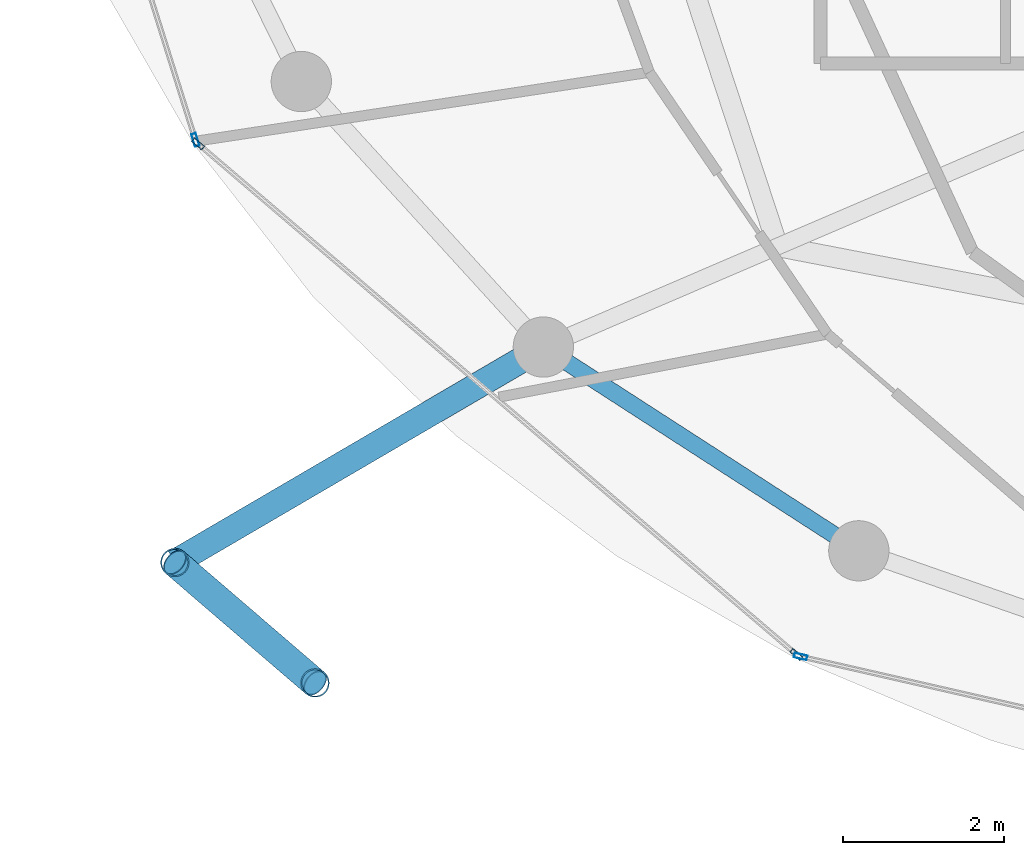
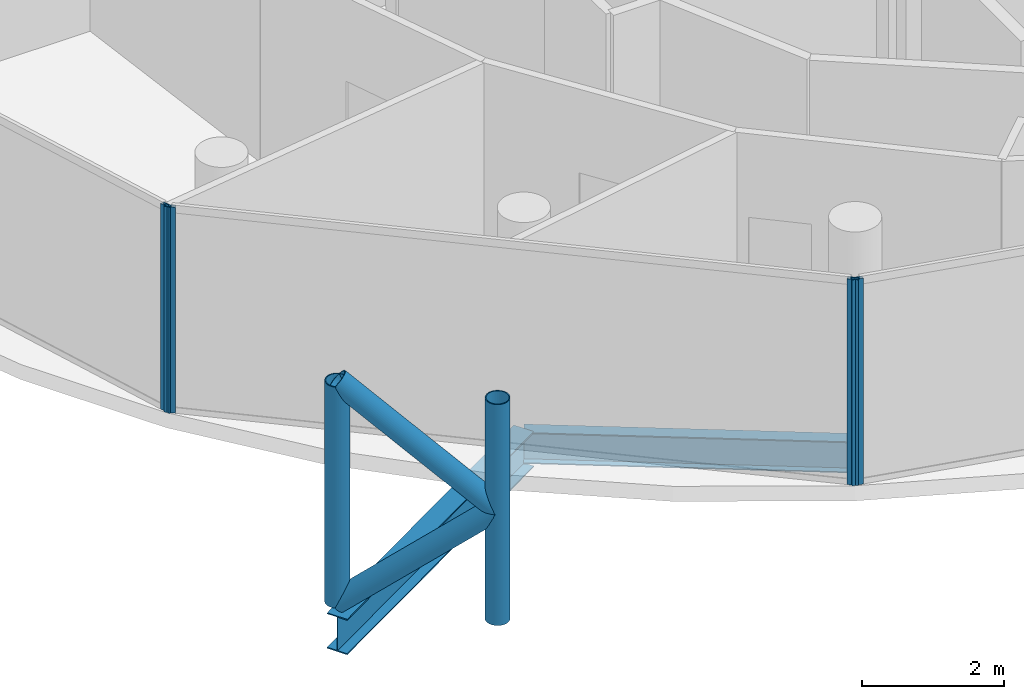
# One storey, part 2 of 24: 8 members, 2 beams, 3 elements without a shape of their own.
"""IFC4 building model written with IfcOpenShell, lengths in metres."""

from ifc_helpers import new_model, si_unit, direction, frame, origin, origin_2d, place, context, subcontext, project, spatial, hollow_rectangle, hollow_circle, i_section, extrude, material, layer, layer_set, material_profile, profile_set, type_object, element, aggregate, save


model = new_model("IFC4")

# Units and contexts
model_context = context("Model", 3, precision=1e-05, world=origin(), true_north=direction((0.0, 1.0)))
body_context = subcontext(model_context, "Body", "Model", "MODEL_VIEW")
ifc_project = project(units=[si_unit("LENGTHUNIT", "METRE"), si_unit("AREAUNIT", "SQUARE_METRE"), si_unit("VOLUMEUNIT", "CUBIC_METRE"), si_unit("PLANEANGLEUNIT", "RADIAN"), si_unit("MASSUNIT", "GRAM", prefix="KILO")], contexts=[model_context])

# Site, building, storey
site_placement = place(None, origin())
site = spatial("IfcSite", under=ifc_project, at=site_placement, CompositionType="ELEMENT")
building_placement = place(site_placement, origin())
building = spatial("IfcBuilding", under=site, at=building_placement, Name="Nuhasar Tower", CompositionType="ELEMENT")
storey_placement = place(building_placement, frame((0.0, 0.0, 289.800048828125)))
storey = spatial("IfcBuildingStorey", under=building, at=storey_placement, Name="L72", CompositionType="ELEMENT", Elevation=289.800048828125)

# Beams
ifc_material_1 = material(Name="Steel S355", Category="steel")
ifc_material_profile_1 = material_profile(ifc_material_1, i_section(OverallWidth=0.2099609375, OverallDepth=0.537109375, WebThickness=0.010986328125, FlangeThickness=0.017333984375, at=origin_2d()), Name="W21X68")
ifc_profile_set_1 = profile_set([ifc_material_profile_1], Name="Steel S355")
beam_type_1 = type_object("IfcBeamType", Name="BM-RING-W21X68", PredefinedType="SPANDREL", material=ifc_profile_set_1)
beam_1_placement = place(storey_placement, frame((25.60009765625, 15.52197265625, -0.528076171875), z_axis=(0.840025485934, -0.542546940809, 0.0), x_axis=(0.542546940809, 0.840025485934, 0.0)))
element("IfcBeam", 1, at=beam_1_placement, inside=storey, type_object=beam_type_1, Name="L72 Perimeter Ring Spandrel 16", PredefinedType="SPANDREL", context=body_context, shape_type="SweptSolid", body=[
    extrude(i_section(OverallWidth=0.2099609375, OverallDepth=0.537109375, WebThickness=0.010986328125, FlangeThickness=0.017333984375, at=origin_2d()), origin(), (0.0, 0.0, 1.0), 4.67236328125),
])
ifc_material_profile_2 = material_profile(ifc_material_1, i_section(OverallWidth=0.323974609375, OverallDepth=0.611083984375, WebThickness=0.0126953125, FlangeThickness=0.01904296875, at=origin_2d()), Name="W24X104")
ifc_profile_set_2 = profile_set([ifc_material_profile_2], Name="Steel S355")
beam_type_2 = type_object("IfcBeamType", Name="BM-TIE-W24X104", PredefinedType="BEAM", material=ifc_profile_set_2)
beam_2_placement = place(storey_placement, frame((25.60009765625, 15.52197265625, -0.56494140625), z_axis=(-0.863291554686, -0.504705549413, 0.0), x_axis=(0.504705549413, -0.863291554686, 0.0)))
element("IfcBeam", 2, at=beam_2_placement, inside=storey, type_object=beam_type_2, Name="L72 Exoskeleton Node Tie Beam 08", PredefinedType="BEAM", context=body_context, shape_type="SweptSolid", body=[
    extrude(i_section(OverallWidth=0.323974609375, OverallDepth=0.611083984375, WebThickness=0.0126953125, FlangeThickness=0.01904296875, at=origin_2d()), origin(), (0.0, 0.0, 1.0), 5.309814453125),
])

# Curtain wall, member
ifc_material_2 = material(Name="Aluminium 6063-T6", Category="aluminium")
ifc_layer = layer(ifc_material_2, 0.18994140625)
ifc_layer_set = layer_set([ifc_layer], Name="Aluminium 6063-T6")
curtain_wall_type = type_object("IfcCurtainWallType", Name="CW-Z4-PEN", PredefinedType="NOTDEFINED", material=ifc_layer_set)
curtain_wall_1_placement = place(storey_placement, origin())
curtain_wall_1 = element("IfcCurtainWall", 3, at=curtain_wall_1_placement, inside=storey, type_object=curtain_wall_type, Name="L72 Unitised Curtain Wall 07", PredefinedType="NOTDEFINED")
ifc_material_profile_3 = material_profile(ifc_material_2, hollow_rectangle(XDim=0.06005859375, YDim=0.1650390625, WallThickness=0.0048828125, at=origin_2d()), Name="CWM-5")
ifc_profile_set_3 = profile_set([ifc_material_profile_3], Name="Aluminium 6063-T6")
member_type_1 = type_object("IfcMemberType", Name="CW-MUL-S5", PredefinedType="MULLION", material=ifc_profile_set_3)
member_1_placement = place(storey_placement, frame((21.27197265625, 18.0986328125, 0.0), z_axis=(0.0, 0.0, 1.0), x_axis=(0.954078526601, 0.299556614146, 0.0)))
member_1 = element("IfcMember", 4, at=member_1_placement, type_object=member_type_1, Name="CW-Z4 mullion 2", PredefinedType="MULLION", context=body_context, shape_type="SweptSolid", body=[
    extrude(hollow_rectangle(XDim=0.06005859375, YDim=0.1650390625, WallThickness=0.0048828125, at=origin_2d()), origin(), (0.0, 0.0, 1.0), 3.5400390625),
])
aggregate(curtain_wall_1, [member_1])

# Curtain wall, members
curtain_wall_2_placement = place(storey_placement, origin())
curtain_wall_2 = element("IfcCurtainWall", 5, at=curtain_wall_2_placement, inside=storey, type_object=curtain_wall_type, Name="L72 Unitised Curtain Wall 08", PredefinedType="NOTDEFINED")
member_2_placement = place(storey_placement, frame((21.3037109375, 18.050537109375, 0.0), z_axis=(0.0, 0.0, 1.0), x_axis=(0.649141996205, 0.760667252327, 0.0)))
member_2 = element("IfcMember", 6, at=member_2_placement, type_object=member_type_1, Name="CW-Z4 mullion 1", PredefinedType="MULLION", context=body_context, shape_type="SweptSolid", body=[
    extrude(hollow_rectangle(XDim=0.06005859375, YDim=0.1650390625, WallThickness=0.0048828125, at=origin_2d()), origin(), (0.0, 0.0, 1.0), 3.5400390625),
])
member_3_placement = place(storey_placement, frame((28.7470703125, 11.698486328125, 0.0), z_axis=(0.0, 0.0, 1.0), x_axis=(0.649141996205, 0.760667252327, 0.0)))
member_3 = element("IfcMember", 7, at=member_3_placement, type_object=member_type_1, Name="CW-Z4 mullion 2", PredefinedType="MULLION", context=body_context, shape_type="SweptSolid", body=[
    extrude(hollow_rectangle(XDim=0.06005859375, YDim=0.1650390625, WallThickness=0.0048828125, at=origin_2d()), origin(), (0.0, 0.0, 1.0), 3.5400390625),
])
aggregate(curtain_wall_2, [member_2, member_3])

# Curtain wall, member
curtain_wall_3_placement = place(storey_placement, origin())
curtain_wall_3 = element("IfcCurtainWall", 8, at=curtain_wall_3_placement, inside=storey, type_object=curtain_wall_type, Name="L72 Unitised Curtain Wall 09", PredefinedType="NOTDEFINED")
member_4_placement = place(storey_placement, frame((28.79931640625, 11.67236328125, 0.0), z_axis=(0.0, 0.0, 1.0), x_axis=(0.222889487645, 0.97484371891, 0.0)))
member_4 = element("IfcMember", 9, at=member_4_placement, type_object=member_type_1, Name="CW-Z4 mullion 1", PredefinedType="MULLION", context=body_context, shape_type="SweptSolid", body=[
    extrude(hollow_rectangle(XDim=0.06005859375, YDim=0.1650390625, WallThickness=0.0048828125, at=origin_2d()), origin(), (0.0, 0.0, 1.0), 3.5400390625),
])
aggregate(curtain_wall_3, [member_4])

# Members
ifc_material_3 = material(Name="Steel S460", Category="steel")
ifc_material_profile_4 = material_profile(ifc_material_3, hollow_circle(Radius=0.177734375, WallThickness=0.015869140625, at=origin_2d()), Name="HSS355.6X15.9")
ifc_profile_set_4 = profile_set([ifc_material_profile_4], Name="Steel S460")
member_type_2 = type_object("IfcMemberType", Name="EXO-BRONZE-356", PredefinedType="BRACE", material=ifc_profile_set_4)
for number, where, z_axis, x_axis, name in (
    (10, (21.01611328125, 12.842041015625, 0.0), (0.0, 0.0, 1.0), (1.0, 0.0, 0.0), "L72 Exoskeleton Chord Column EC-08A"),
    (11, (22.760009765625, 11.343017578125, 0.0), (0.0, 0.0, 1.0), (1.0, 0.0, 0.0), "L72 Exoskeleton Chord Column EC-08B"),
):
    element("IfcMember", number, at=place(storey_placement, frame(where, z_axis=z_axis, x_axis=x_axis)), inside=storey, type_object=member_type_2, Name=name, PredefinedType="BRACE", context=body_context, shape_type="SweptSolid", body=[
        extrude(hollow_circle(Radius=0.177734375, WallThickness=0.015869140625, at=origin_2d()), origin(), (0.0, 0.0, 1.0), 3.800048828125),
    ])
member_5_placement = place(storey_placement, frame((21.01611328125, 12.842041015625, 0.0), z_axis=(0.584625223306, -0.502533791278, 0.636924749792), x_axis=(0.65185738425, 0.758341579104, 0.0)))
element("IfcMember", 12, at=member_5_placement, inside=storey, type_object=member_type_2, Name="L72 Bronze Diagrid Brace W1-08", PredefinedType="BRACE", context=body_context, shape_type="SweptSolid", body=[
    extrude(hollow_circle(Radius=0.177734375, WallThickness=0.015869140625, at=origin_2d()), origin(), (0.0, 0.0, 1.0), 2.98291015625),
])
member_6_placement = place(storey_placement, frame((22.760009765625, 11.343017578125, 1.89990234375), z_axis=(-0.584594747408, 0.50250759472, 0.636973389203), x_axis=(-0.65185738425, -0.758341579104, 0.0)))
element("IfcMember", 13, at=member_6_placement, inside=storey, type_object=member_type_2, Name="L72 Bronze Diagrid Brace W2-08", PredefinedType="BRACE", context=body_context, shape_type="SweptSolid", body=[
    extrude(hollow_circle(Radius=0.177734375, WallThickness=0.015869140625, at=origin_2d()), origin(), (0.0, 0.0, 1.0), 2.983154296875),
])

save(model, "model.ifc")
